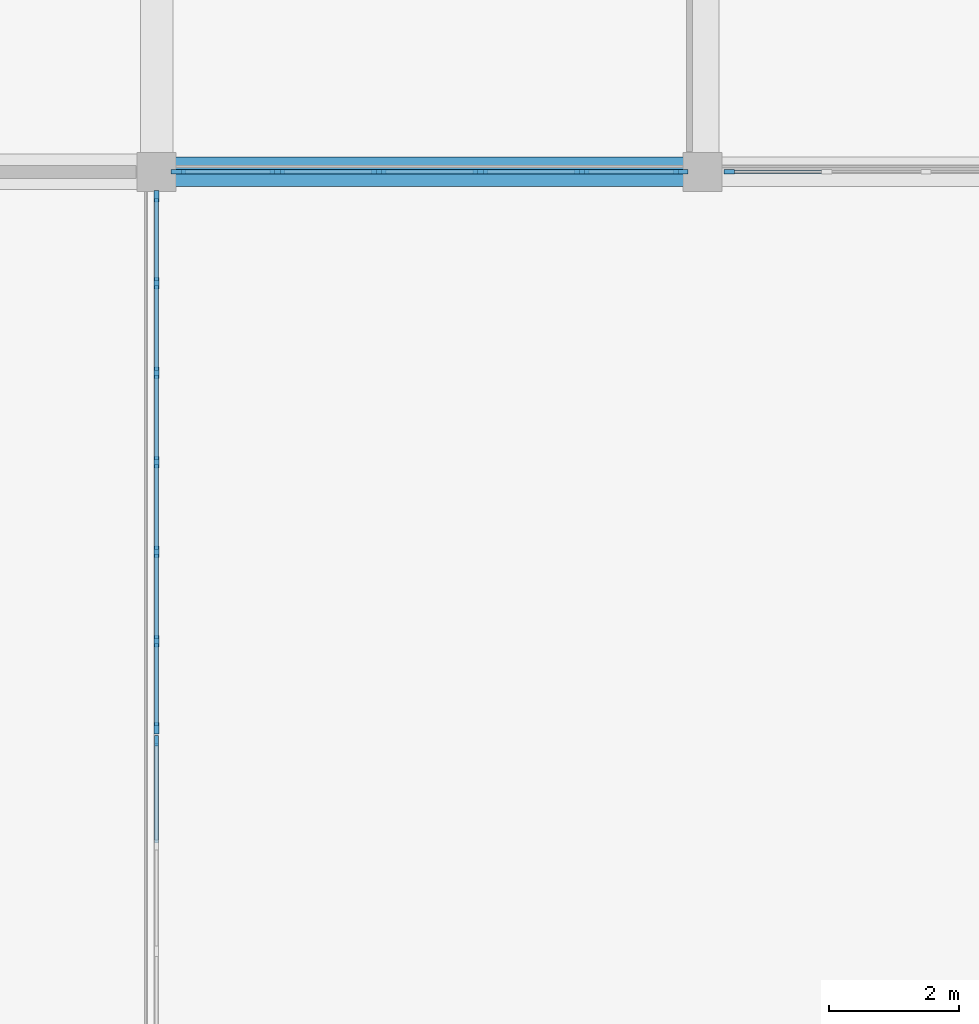
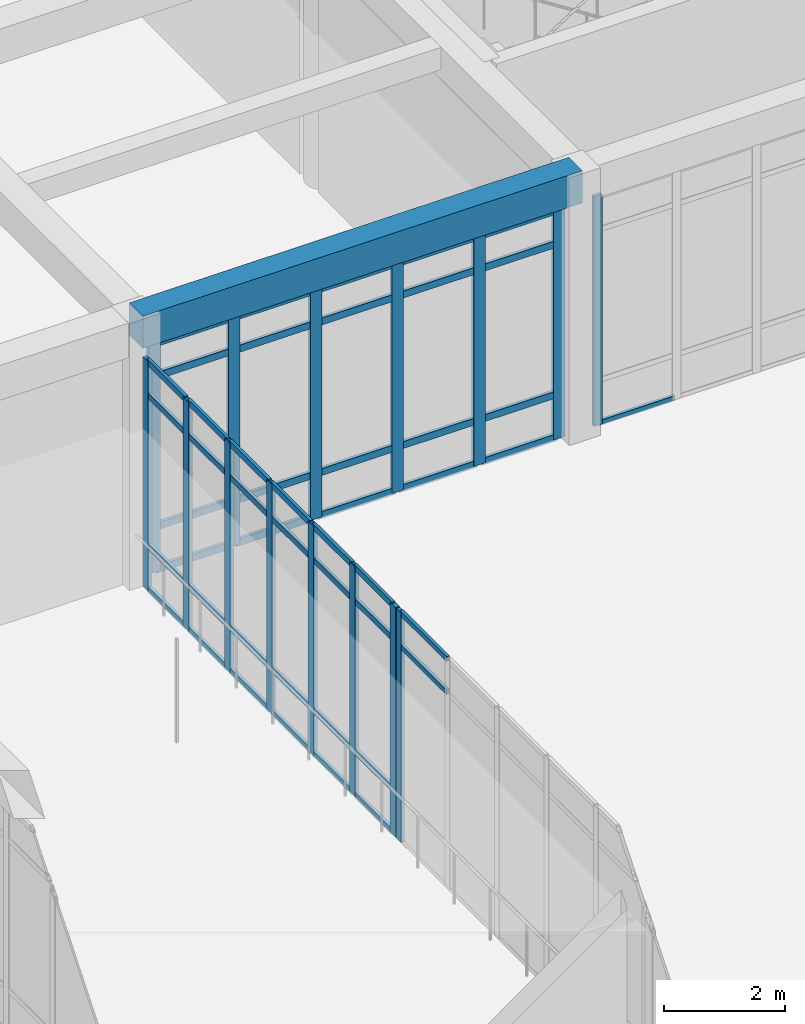
# One storey, part 24 of 157: 62 members, 1 beam, 4 elements without a shape of their own.
"""IFC4 building model written with IfcOpenShell, lengths in metres."""

from ifc_helpers import new_model, si_unit, direction, frame, origin, origin_2d, place, context, subcontext, project, spatial, rectangle, extrude, material, material_profile, profile_set, type_object, element, aggregate, save


model = new_model("IFC4")

# Units and contexts
model_context = context("Model", 3, precision=1e-05, world=origin(), true_north=direction((0.0, 1.0)))
body_context = subcontext(model_context, "Body", "Model", "MODEL_VIEW")
ifc_project = project(units=[si_unit("LENGTHUNIT", "METRE"), si_unit("AREAUNIT", "SQUARE_METRE"), si_unit("VOLUMEUNIT", "CUBIC_METRE"), si_unit("PLANEANGLEUNIT", "RADIAN"), si_unit("MASSUNIT", "GRAM", prefix="KILO")], contexts=[model_context])

# Site, building, storey
site_placement = place(None, origin())
site = spatial("IfcSite", under=ifc_project, at=site_placement, CompositionType="ELEMENT")
building_placement = place(site_placement, origin())
building = spatial("IfcBuilding", under=site, at=building_placement, Name="Varncliffe General Hospital", CompositionType="ELEMENT")
storey_placement = place(building_placement, frame((0.0, 0.0, 5.39990234375)))
storey = spatial("IfcBuildingStorey", under=building, at=storey_placement, Name="L01", CompositionType="ELEMENT", Elevation=5.39990234375)

# Curtain wall, members
ifc_material_1 = material(Name="Triple low-E argon insulated vision glazing", Category="glass")
curtain_wall_type_1 = type_object("IfcCurtainWallType", Name="Unitised Glazed Curtain Wall CW14 (8260x4640)", PredefinedType="USERDEFINED", material=ifc_material_1)
curtain_wall_1_placement = place(storey_placement, origin())
curtain_wall_1 = element("IfcCurtainWall", 1, at=curtain_wall_1_placement, inside=storey, type_object=curtain_wall_type_1, Name="L01 Glazed Curtain Wall CW14-106", ObjectType="GLAZED CURTAIN WALL", PredefinedType="USERDEFINED")
ifc_material_2 = material(Name="Dark bronze thermally broken aluminium framing", Category="aluminium")
ifc_material_profile_1 = material_profile(ifc_material_2, rectangle(XDim=0.074951171875, YDim=0.179931640625, at=origin_2d()), Name="ALU 75x180")
ifc_profile_set_1 = profile_set([ifc_material_profile_1], Name="Dark bronze thermally broken aluminium framing")
member_type_1 = type_object("IfcMemberType", Name="Curtain Wall Mullion CM44 (ALU 75x180)", PredefinedType="MULLION", material=ifc_profile_set_1)
member_1_placement = place(storey_placement, frame((67.199951171875, 57.224609375, 0.0), z_axis=(0.0, 0.0, 1.0), x_axis=(1.0, 0.0, 0.0)))
member_1 = element("IfcMember", 2, at=member_1_placement, type_object=member_type_1, Name="CW14 mullion 1", PredefinedType="MULLION", context=body_context, shape_type="SweptSolid", body=[
    extrude(rectangle(XDim=0.074951171875, YDim=0.179931640625, at=origin_2d()), origin(), (0.0, 0.0, 1.0), 4.64013671875),
])
member_2_placement = place(storey_placement, frame((67.199951171875, 55.88525390625, 0.0), z_axis=(0.0, 0.0, 1.0), x_axis=(1.0, 0.0, 0.0)))
member_2 = element("IfcMember", 3, at=member_2_placement, type_object=member_type_1, Name="CW14 mullion 2", PredefinedType="MULLION", context=body_context, shape_type="SweptSolid", body=[
    extrude(rectangle(XDim=0.074951171875, YDim=0.179931640625, at=origin_2d()), origin(), (0.0, 0.0, 1.0), 4.64013671875),
])
member_3_placement = place(storey_placement, frame((67.199951171875, 54.508544921875, 0.0), z_axis=(0.0, 0.0, 1.0), x_axis=(1.0, 0.0, 0.0)))
member_3 = element("IfcMember", 4, at=member_3_placement, type_object=member_type_1, Name="CW14 mullion 3", PredefinedType="MULLION", context=body_context, shape_type="SweptSolid", body=[
    extrude(rectangle(XDim=0.074951171875, YDim=0.179931640625, at=origin_2d()), origin(), (0.0, 0.0, 1.0), 4.64013671875),
])
member_4_placement = place(storey_placement, frame((67.199951171875, 53.1318359375, 0.0), z_axis=(0.0, 0.0, 1.0), x_axis=(1.0, 0.0, 0.0)))
member_4 = element("IfcMember", 5, at=member_4_placement, type_object=member_type_1, Name="CW14 mullion 4", PredefinedType="MULLION", context=body_context, shape_type="SweptSolid", body=[
    extrude(rectangle(XDim=0.074951171875, YDim=0.179931640625, at=origin_2d()), origin(), (0.0, 0.0, 1.0), 4.64013671875),
])
member_5_placement = place(storey_placement, frame((67.199951171875, 51.755126953125, 0.0), z_axis=(0.0, 0.0, 1.0), x_axis=(1.0, 0.0, 0.0)))
member_5 = element("IfcMember", 6, at=member_5_placement, type_object=member_type_1, Name="CW14 mullion 5", PredefinedType="MULLION", context=body_context, shape_type="SweptSolid", body=[
    extrude(rectangle(XDim=0.074951171875, YDim=0.179931640625, at=origin_2d()), origin(), (0.0, 0.0, 1.0), 4.64013671875),
])
member_6_placement = place(storey_placement, frame((67.199951171875, 50.37841796875, 0.0), z_axis=(0.0, 0.0, 1.0), x_axis=(1.0, 0.0, 0.0)))
member_6 = element("IfcMember", 7, at=member_6_placement, type_object=member_type_1, Name="CW14 mullion 6", PredefinedType="MULLION", context=body_context, shape_type="SweptSolid", body=[
    extrude(rectangle(XDim=0.074951171875, YDim=0.179931640625, at=origin_2d()), origin(), (0.0, 0.0, 1.0), 4.64013671875),
])
member_7_placement = place(storey_placement, frame((67.199951171875, 49.0390625, 0.0), z_axis=(0.0, 0.0, 1.0), x_axis=(1.0, 0.0, 0.0)))
member_7 = element("IfcMember", 8, at=member_7_placement, type_object=member_type_1, Name="CW14 mullion 7", PredefinedType="MULLION", context=body_context, shape_type="SweptSolid", body=[
    extrude(rectangle(XDim=0.074951171875, YDim=0.179931640625, at=origin_2d()), origin(), (0.0, 0.0, 1.0), 4.64013671875),
])

# Curtain wall, member
curtain_wall_type_2 = type_object("IfcCurtainWallType", Name="Unitised Glazed Curtain Wall CW27 (7644x4640)", PredefinedType="USERDEFINED", material=ifc_material_1)
curtain_wall_2_placement = place(storey_placement, origin())
curtain_wall_2 = element("IfcCurtainWall", 9, at=curtain_wall_2_placement, inside=storey, type_object=curtain_wall_type_2, Name="L01 Glazed Curtain Wall CW27-104", ObjectType="GLAZED CURTAIN WALL", PredefinedType="USERDEFINED")
ifc_material_profile_2 = material_profile(ifc_material_2, rectangle(XDim=0.06494140625, YDim=0.159912109375, at=origin_2d()), Name="ALU 65x160")
ifc_profile_set_2 = profile_set([ifc_material_profile_2], Name="Dark bronze thermally broken aluminium framing")
member_type_2 = type_object("IfcMemberType", Name="Curtain Wall Mullion CM65 (ALU 65x160)", PredefinedType="MULLION", material=ifc_profile_set_2)
member_8_placement = place(storey_placement, frame((76.010498046875, 57.60009765625, 0.0), z_axis=(0.0, 0.0, 1.0), x_axis=(0.0, -1.0, 0.0)))
member_8 = element("IfcMember", 10, at=member_8_placement, type_object=member_type_2, Name="CW27 mullion 6", PredefinedType="MULLION", context=body_context, shape_type="SweptSolid", body=[
    extrude(rectangle(XDim=0.06494140625, YDim=0.159912109375, at=origin_2d()), origin(), (0.0, 0.0, 1.0), 4.64013671875),
])

curtain_wall_type_3 = type_object("IfcCurtainWallType", Name="Unitised Glazed Curtain Wall CW16 (8180x4640)", PredefinedType="USERDEFINED", material=ifc_material_1)
curtain_wall_3_placement = place(storey_placement, origin())
curtain_wall_3 = element("IfcCurtainWall", 11, at=curtain_wall_3_placement, inside=storey, type_object=curtain_wall_type_3, Name="L01 Glazed Curtain Wall CW16-107", ObjectType="GLAZED CURTAIN WALL", PredefinedType="USERDEFINED")
member_9_placement = place(storey_placement, frame((67.199951171875, 48.84912109375, 0.0), z_axis=(0.0, 0.0, 1.0), x_axis=(1.0, 0.0, 0.0)))
member_9 = element("IfcMember", 12, at=member_9_placement, type_object=member_type_2, Name="CW16 mullion 1", PredefinedType="MULLION", context=body_context, shape_type="SweptSolid", body=[
    extrude(rectangle(XDim=0.06494140625, YDim=0.159912109375, at=origin_2d()), origin(), (0.0, 0.0, 1.0), 4.64013671875),
])

# Curtain wall, members
curtain_wall_type_4 = type_object("IfcCurtainWallType", Name="Unitised Glazed Curtain Wall CW85 (7804x4640)", PredefinedType="USERDEFINED", material=ifc_material_1)
curtain_wall_4_placement = place(storey_placement, origin())
curtain_wall_4 = element("IfcCurtainWall", 13, at=curtain_wall_4_placement, inside=storey, type_object=curtain_wall_type_4, Name="L01 Glazed Curtain Wall CW85-105", ObjectType="GLAZED CURTAIN WALL", PredefinedType="USERDEFINED")
ifc_material_profile_3 = material_profile(ifc_material_2, rectangle(XDim=0.074951171875, YDim=0.219970703125, at=origin_2d()), Name="ALU 75x220")
ifc_profile_set_3 = profile_set([ifc_material_profile_3], Name="Dark bronze thermally broken aluminium framing")
member_type_3 = type_object("IfcMemberType", Name="Curtain Wall Mullion CM74 (ALU 75x220)", PredefinedType="MULLION", material=ifc_profile_set_3)
member_10_placement = place(storey_placement, frame((75.264404296875, 57.60009765625, 0.0), z_axis=(0.0, 0.0, 1.0), x_axis=(0.0, -1.0, 0.0)))
member_10 = element("IfcMember", 14, at=member_10_placement, type_object=member_type_3, Name="CW85 mullion 1", PredefinedType="MULLION", context=body_context, shape_type="SweptSolid", body=[
    extrude(rectangle(XDim=0.074951171875, YDim=0.219970703125, at=origin_2d()), origin(), (0.0, 0.0, 1.0), 4.64013671875),
])
member_11_placement = place(storey_placement, frame((73.7412109375, 57.60009765625, 0.0), z_axis=(0.0, 0.0, 1.0), x_axis=(0.0, -1.0, 0.0)))
member_11 = element("IfcMember", 15, at=member_11_placement, type_object=member_type_3, Name="CW85 mullion 2", PredefinedType="MULLION", context=body_context, shape_type="SweptSolid", body=[
    extrude(rectangle(XDim=0.074951171875, YDim=0.219970703125, at=origin_2d()), origin(), (0.0, 0.0, 1.0), 4.64013671875),
])
member_12_placement = place(storey_placement, frame((72.180419921875, 57.60009765625, 0.0), z_axis=(0.0, 0.0, 1.0), x_axis=(0.0, -1.0, 0.0)))
member_12 = element("IfcMember", 16, at=member_12_placement, type_object=member_type_3, Name="CW85 mullion 3", PredefinedType="MULLION", context=body_context, shape_type="SweptSolid", body=[
    extrude(rectangle(XDim=0.074951171875, YDim=0.219970703125, at=origin_2d()), origin(), (0.0, 0.0, 1.0), 4.64013671875),
])
member_13_placement = place(storey_placement, frame((70.61962890625, 57.60009765625, 0.0), z_axis=(0.0, 0.0, 1.0), x_axis=(0.0, -1.0, 0.0)))
member_13 = element("IfcMember", 17, at=member_13_placement, type_object=member_type_3, Name="CW85 mullion 4", PredefinedType="MULLION", context=body_context, shape_type="SweptSolid", body=[
    extrude(rectangle(XDim=0.074951171875, YDim=0.219970703125, at=origin_2d()), origin(), (0.0, 0.0, 1.0), 4.64013671875),
])
member_14_placement = place(storey_placement, frame((69.058837890625, 57.60009765625, 0.0), z_axis=(0.0, 0.0, 1.0), x_axis=(0.0, -1.0, 0.0)))
member_14 = element("IfcMember", 18, at=member_14_placement, type_object=member_type_3, Name="CW85 mullion 5", PredefinedType="MULLION", context=body_context, shape_type="SweptSolid", body=[
    extrude(rectangle(XDim=0.074951171875, YDim=0.219970703125, at=origin_2d()), origin(), (0.0, 0.0, 1.0), 4.64013671875),
])
member_15_placement = place(storey_placement, frame((67.535400390625, 57.60009765625, 0.0), z_axis=(0.0, 0.0, 1.0), x_axis=(0.0, -1.0, 0.0)))
member_15 = element("IfcMember", 19, at=member_15_placement, type_object=member_type_3, Name="CW85 mullion 6", PredefinedType="MULLION", context=body_context, shape_type="SweptSolid", body=[
    extrude(rectangle(XDim=0.074951171875, YDim=0.219970703125, at=origin_2d()), origin(), (0.0, 0.0, 1.0), 4.64013671875),
])

# Member
ifc_material_profile_4 = material_profile(ifc_material_2, rectangle(XDim=0.06005859375, YDim=0.1201171875, at=origin_2d()), Name="ALU 60x120")
ifc_profile_set_4 = profile_set([ifc_material_profile_4], Name="Dark bronze thermally broken aluminium framing")
member_type_4 = type_object("IfcMemberType", Name="Curtain Wall Transom CT14 (ALU 60x120)", PredefinedType="USERDEFINED", material=ifc_profile_set_4)
member_16_placement = place(storey_placement, frame((67.199951171875, 57.18701171875, 0.030029296875), z_axis=(0.0, -1.0, 0.0), x_axis=(1.0, 0.0, 0.0)))
member_16 = element("IfcMember", 20, at=member_16_placement, type_object=member_type_4, Name="CW14 transom 1.1", ObjectType="TRANSOM", PredefinedType="USERDEFINED", context=body_context, shape_type="SweptSolid", body=[
    extrude(rectangle(XDim=0.06005859375, YDim=0.1201171875, at=origin_2d()), origin(), (0.0, 0.0, 1.0), 1.26416015625),
])

member_17_placement = place(storey_placement, frame((67.199951171875, 57.18701171875, 0.900146484375), z_axis=(0.0, -1.0, 0.0), x_axis=(1.0, 0.0, 0.0)))
member_17 = element("IfcMember", 21, at=member_17_placement, type_object=member_type_4, Name="CW14 transom 1.2", ObjectType="TRANSOM", PredefinedType="USERDEFINED", context=body_context, shape_type="SweptSolid", body=[
    extrude(rectangle(XDim=0.06005859375, YDim=0.1201171875, at=origin_2d()), origin(), (0.0, 0.0, 1.0), 1.26416015625),
])

member_18_placement = place(storey_placement, frame((67.199951171875, 57.18701171875, 3.940185546875), z_axis=(0.0, -1.0, 0.0), x_axis=(1.0, 0.0, 0.0)))
member_18 = element("IfcMember", 22, at=member_18_placement, type_object=member_type_4, Name="CW14 transom 1.3", ObjectType="TRANSOM", PredefinedType="USERDEFINED", context=body_context, shape_type="SweptSolid", body=[
    extrude(rectangle(XDim=0.06005859375, YDim=0.1201171875, at=origin_2d()), origin(), (0.0, 0.0, 1.0), 1.26416015625),
])

member_19_placement = place(storey_placement, frame((67.199951171875, 57.18701171875, 4.610107421875), z_axis=(0.0, -1.0, 0.0), x_axis=(1.0, 0.0, 0.0)))
member_19 = element("IfcMember", 23, at=member_19_placement, type_object=member_type_4, Name="CW14 transom 1.4", ObjectType="TRANSOM", PredefinedType="USERDEFINED", context=body_context, shape_type="SweptSolid", body=[
    extrude(rectangle(XDim=0.06005859375, YDim=0.1201171875, at=origin_2d()), origin(), (0.0, 0.0, 1.0), 1.26416015625),
])

member_20_placement = place(storey_placement, frame((67.199951171875, 55.84765625, 0.030029296875), z_axis=(0.0, -1.0, 0.0), x_axis=(1.0, 0.0, 0.0)))
member_20 = element("IfcMember", 24, at=member_20_placement, type_object=member_type_4, Name="CW14 transom 2.1", ObjectType="TRANSOM", PredefinedType="USERDEFINED", context=body_context, shape_type="SweptSolid", body=[
    extrude(rectangle(XDim=0.06005859375, YDim=0.1201171875, at=origin_2d()), origin(), (0.0, 0.0, 1.0), 1.301513671875),
])

member_21_placement = place(storey_placement, frame((67.199951171875, 55.84765625, 0.900146484375), z_axis=(0.0, -1.0, 0.0), x_axis=(1.0, 0.0, 0.0)))
member_21 = element("IfcMember", 25, at=member_21_placement, type_object=member_type_4, Name="CW14 transom 2.2", ObjectType="TRANSOM", PredefinedType="USERDEFINED", context=body_context, shape_type="SweptSolid", body=[
    extrude(rectangle(XDim=0.06005859375, YDim=0.1201171875, at=origin_2d()), origin(), (0.0, 0.0, 1.0), 1.301513671875),
])

member_22_placement = place(storey_placement, frame((67.199951171875, 55.84765625, 3.940185546875), z_axis=(0.0, -1.0, 0.0), x_axis=(1.0, 0.0, 0.0)))
member_22 = element("IfcMember", 26, at=member_22_placement, type_object=member_type_4, Name="CW14 transom 2.3", ObjectType="TRANSOM", PredefinedType="USERDEFINED", context=body_context, shape_type="SweptSolid", body=[
    extrude(rectangle(XDim=0.06005859375, YDim=0.1201171875, at=origin_2d()), origin(), (0.0, 0.0, 1.0), 1.301513671875),
])

member_23_placement = place(storey_placement, frame((67.199951171875, 55.84765625, 4.610107421875), z_axis=(0.0, -1.0, 0.0), x_axis=(1.0, 0.0, 0.0)))
member_23 = element("IfcMember", 27, at=member_23_placement, type_object=member_type_4, Name="CW14 transom 2.4", ObjectType="TRANSOM", PredefinedType="USERDEFINED", context=body_context, shape_type="SweptSolid", body=[
    extrude(rectangle(XDim=0.06005859375, YDim=0.1201171875, at=origin_2d()), origin(), (0.0, 0.0, 1.0), 1.301513671875),
])

member_24_placement = place(storey_placement, frame((67.199951171875, 54.470947265625, 0.030029296875), z_axis=(0.0, -1.0, 0.0), x_axis=(1.0, 0.0, 0.0)))
member_24 = element("IfcMember", 28, at=member_24_placement, type_object=member_type_4, Name="CW14 transom 3.1", ObjectType="TRANSOM", PredefinedType="USERDEFINED", context=body_context, shape_type="SweptSolid", body=[
    extrude(rectangle(XDim=0.06005859375, YDim=0.1201171875, at=origin_2d()), origin(), (0.0, 0.0, 1.0), 1.3017578125),
])

member_25_placement = place(storey_placement, frame((67.199951171875, 54.470947265625, 0.900146484375), z_axis=(0.0, -1.0, 0.0), x_axis=(1.0, 0.0, 0.0)))
member_25 = element("IfcMember", 29, at=member_25_placement, type_object=member_type_4, Name="CW14 transom 3.2", ObjectType="TRANSOM", PredefinedType="USERDEFINED", context=body_context, shape_type="SweptSolid", body=[
    extrude(rectangle(XDim=0.06005859375, YDim=0.1201171875, at=origin_2d()), origin(), (0.0, 0.0, 1.0), 1.3017578125),
])

member_26_placement = place(storey_placement, frame((67.199951171875, 54.470947265625, 3.940185546875), z_axis=(0.0, -1.0, 0.0), x_axis=(1.0, 0.0, 0.0)))
member_26 = element("IfcMember", 30, at=member_26_placement, type_object=member_type_4, Name="CW14 transom 3.3", ObjectType="TRANSOM", PredefinedType="USERDEFINED", context=body_context, shape_type="SweptSolid", body=[
    extrude(rectangle(XDim=0.06005859375, YDim=0.1201171875, at=origin_2d()), origin(), (0.0, 0.0, 1.0), 1.3017578125),
])

member_27_placement = place(storey_placement, frame((67.199951171875, 54.470947265625, 4.610107421875), z_axis=(0.0, -1.0, 0.0), x_axis=(1.0, 0.0, 0.0)))
member_27 = element("IfcMember", 31, at=member_27_placement, type_object=member_type_4, Name="CW14 transom 3.4", ObjectType="TRANSOM", PredefinedType="USERDEFINED", context=body_context, shape_type="SweptSolid", body=[
    extrude(rectangle(XDim=0.06005859375, YDim=0.1201171875, at=origin_2d()), origin(), (0.0, 0.0, 1.0), 1.3017578125),
])

member_28_placement = place(storey_placement, frame((67.199951171875, 53.09423828125, 0.030029296875), z_axis=(0.0, -1.0, 0.0), x_axis=(1.0, 0.0, 0.0)))
member_28 = element("IfcMember", 32, at=member_28_placement, type_object=member_type_4, Name="CW14 transom 4.1", ObjectType="TRANSOM", PredefinedType="USERDEFINED", context=body_context, shape_type="SweptSolid", body=[
    extrude(rectangle(XDim=0.06005859375, YDim=0.1201171875, at=origin_2d()), origin(), (0.0, 0.0, 1.0), 1.3017578125),
])

member_29_placement = place(storey_placement, frame((67.199951171875, 53.09423828125, 0.900146484375), z_axis=(0.0, -1.0, 0.0), x_axis=(1.0, 0.0, 0.0)))
member_29 = element("IfcMember", 33, at=member_29_placement, type_object=member_type_4, Name="CW14 transom 4.2", ObjectType="TRANSOM", PredefinedType="USERDEFINED", context=body_context, shape_type="SweptSolid", body=[
    extrude(rectangle(XDim=0.06005859375, YDim=0.1201171875, at=origin_2d()), origin(), (0.0, 0.0, 1.0), 1.3017578125),
])

member_30_placement = place(storey_placement, frame((67.199951171875, 53.09423828125, 3.940185546875), z_axis=(0.0, -1.0, 0.0), x_axis=(1.0, 0.0, 0.0)))
member_30 = element("IfcMember", 34, at=member_30_placement, type_object=member_type_4, Name="CW14 transom 4.3", ObjectType="TRANSOM", PredefinedType="USERDEFINED", context=body_context, shape_type="SweptSolid", body=[
    extrude(rectangle(XDim=0.06005859375, YDim=0.1201171875, at=origin_2d()), origin(), (0.0, 0.0, 1.0), 1.3017578125),
])

member_31_placement = place(storey_placement, frame((67.199951171875, 53.09423828125, 4.610107421875), z_axis=(0.0, -1.0, 0.0), x_axis=(1.0, 0.0, 0.0)))
member_31 = element("IfcMember", 35, at=member_31_placement, type_object=member_type_4, Name="CW14 transom 4.4", ObjectType="TRANSOM", PredefinedType="USERDEFINED", context=body_context, shape_type="SweptSolid", body=[
    extrude(rectangle(XDim=0.06005859375, YDim=0.1201171875, at=origin_2d()), origin(), (0.0, 0.0, 1.0), 1.3017578125),
])

member_32_placement = place(storey_placement, frame((67.199951171875, 51.717529296875, 0.030029296875), z_axis=(0.0, -1.0, 0.0), x_axis=(1.0, 0.0, 0.0)))
member_32 = element("IfcMember", 36, at=member_32_placement, type_object=member_type_4, Name="CW14 transom 5.1", ObjectType="TRANSOM", PredefinedType="USERDEFINED", context=body_context, shape_type="SweptSolid", body=[
    extrude(rectangle(XDim=0.06005859375, YDim=0.1201171875, at=origin_2d()), origin(), (0.0, 0.0, 1.0), 1.3017578125),
])

member_33_placement = place(storey_placement, frame((67.199951171875, 51.717529296875, 0.900146484375), z_axis=(0.0, -1.0, 0.0), x_axis=(1.0, 0.0, 0.0)))
member_33 = element("IfcMember", 37, at=member_33_placement, type_object=member_type_4, Name="CW14 transom 5.2", ObjectType="TRANSOM", PredefinedType="USERDEFINED", context=body_context, shape_type="SweptSolid", body=[
    extrude(rectangle(XDim=0.06005859375, YDim=0.1201171875, at=origin_2d()), origin(), (0.0, 0.0, 1.0), 1.3017578125),
])

member_34_placement = place(storey_placement, frame((67.199951171875, 51.717529296875, 3.940185546875), z_axis=(0.0, -1.0, 0.0), x_axis=(1.0, 0.0, 0.0)))
member_34 = element("IfcMember", 38, at=member_34_placement, type_object=member_type_4, Name="CW14 transom 5.3", ObjectType="TRANSOM", PredefinedType="USERDEFINED", context=body_context, shape_type="SweptSolid", body=[
    extrude(rectangle(XDim=0.06005859375, YDim=0.1201171875, at=origin_2d()), origin(), (0.0, 0.0, 1.0), 1.3017578125),
])

member_35_placement = place(storey_placement, frame((67.199951171875, 51.717529296875, 4.610107421875), z_axis=(0.0, -1.0, 0.0), x_axis=(1.0, 0.0, 0.0)))
member_35 = element("IfcMember", 39, at=member_35_placement, type_object=member_type_4, Name="CW14 transom 5.4", ObjectType="TRANSOM", PredefinedType="USERDEFINED", context=body_context, shape_type="SweptSolid", body=[
    extrude(rectangle(XDim=0.06005859375, YDim=0.1201171875, at=origin_2d()), origin(), (0.0, 0.0, 1.0), 1.3017578125),
])

member_36_placement = place(storey_placement, frame((67.199951171875, 50.3408203125, 0.030029296875), z_axis=(0.0, -1.0, 0.0), x_axis=(1.0, 0.0, 0.0)))
member_36 = element("IfcMember", 40, at=member_36_placement, type_object=member_type_4, Name="CW14 transom 6.1", ObjectType="TRANSOM", PredefinedType="USERDEFINED", context=body_context, shape_type="SweptSolid", body=[
    extrude(rectangle(XDim=0.06005859375, YDim=0.1201171875, at=origin_2d()), origin(), (0.0, 0.0, 1.0), 1.26416015625),
])

member_37_placement = place(storey_placement, frame((67.199951171875, 50.3408203125, 0.900146484375), z_axis=(0.0, -1.0, 0.0), x_axis=(1.0, 0.0, 0.0)))
member_37 = element("IfcMember", 41, at=member_37_placement, type_object=member_type_4, Name="CW14 transom 6.2", ObjectType="TRANSOM", PredefinedType="USERDEFINED", context=body_context, shape_type="SweptSolid", body=[
    extrude(rectangle(XDim=0.06005859375, YDim=0.1201171875, at=origin_2d()), origin(), (0.0, 0.0, 1.0), 1.26416015625),
])

member_38_placement = place(storey_placement, frame((67.199951171875, 50.3408203125, 3.940185546875), z_axis=(0.0, -1.0, 0.0), x_axis=(1.0, 0.0, 0.0)))
member_38 = element("IfcMember", 42, at=member_38_placement, type_object=member_type_4, Name="CW14 transom 6.3", ObjectType="TRANSOM", PredefinedType="USERDEFINED", context=body_context, shape_type="SweptSolid", body=[
    extrude(rectangle(XDim=0.06005859375, YDim=0.1201171875, at=origin_2d()), origin(), (0.0, 0.0, 1.0), 1.26416015625),
])

member_39_placement = place(storey_placement, frame((67.199951171875, 50.3408203125, 4.610107421875), z_axis=(0.0, -1.0, 0.0), x_axis=(1.0, 0.0, 0.0)))
member_39 = element("IfcMember", 43, at=member_39_placement, type_object=member_type_4, Name="CW14 transom 6.4", ObjectType="TRANSOM", PredefinedType="USERDEFINED", context=body_context, shape_type="SweptSolid", body=[
    extrude(rectangle(XDim=0.06005859375, YDim=0.1201171875, at=origin_2d()), origin(), (0.0, 0.0, 1.0), 1.26416015625),
])

aggregate(curtain_wall_1, [member_1, member_2, member_3, member_4, member_5, member_6, member_7, member_16, member_17, member_18, member_19, member_20, member_21, member_22, member_23, member_24, member_25, member_26, member_27, member_28, member_29, member_30, member_31, member_32, member_33, member_34, member_35, member_36, member_37, member_38, member_39])

ifc_material_profile_5 = material_profile(ifc_material_2, rectangle(XDim=0.06005859375, YDim=0.10009765625, at=origin_2d()), Name="ALU 60x100")
ifc_profile_set_5 = profile_set([ifc_material_profile_5], Name="Dark bronze thermally broken aluminium framing")
member_type_5 = type_object("IfcMemberType", Name="Curtain Wall Transom CT18 (ALU 60x100)", PredefinedType="USERDEFINED", material=ifc_profile_set_5)
member_40_placement = place(storey_placement, frame((77.474365234375, 57.60009765625, 0.030029296875), z_axis=(-1.0, 0.0, 0.0), x_axis=(0.0, -1.0, 0.0)))
member_40 = element("IfcMember", 44, at=member_40_placement, type_object=member_type_5, Name="CW27 transom 5.1", ObjectType="TRANSOM", PredefinedType="USERDEFINED", context=body_context, shape_type="SweptSolid", body=[
    extrude(rectangle(XDim=0.06005859375, YDim=0.10009765625, at=origin_2d()), origin(), (0.0, 0.0, 1.0), 1.431396484375),
])

aggregate(curtain_wall_2, [member_8, member_40])

member_41_placement = place(storey_placement, frame((67.199951171875, 48.816650390625, 3.940185546875), z_axis=(0.0, -1.0, 0.0), x_axis=(1.0, 0.0, 0.0)))
member_41 = element("IfcMember", 45, at=member_41_placement, type_object=member_type_5, Name="CW16 transom 1.3", ObjectType="TRANSOM", PredefinedType="USERDEFINED", context=body_context, shape_type="SweptSolid", body=[
    extrude(rectangle(XDim=0.06005859375, YDim=0.10009765625, at=origin_2d()), origin(), (0.0, 0.0, 1.0), 1.53857421875),
])

member_42_placement = place(storey_placement, frame((67.199951171875, 48.816650390625, 4.610107421875), z_axis=(0.0, -1.0, 0.0), x_axis=(1.0, 0.0, 0.0)))
member_42 = element("IfcMember", 46, at=member_42_placement, type_object=member_type_5, Name="CW16 transom 1.4", ObjectType="TRANSOM", PredefinedType="USERDEFINED", context=body_context, shape_type="SweptSolid", body=[
    extrude(rectangle(XDim=0.06005859375, YDim=0.10009765625, at=origin_2d()), origin(), (0.0, 0.0, 1.0), 1.53857421875),
])

aggregate(curtain_wall_3, [member_9, member_41, member_42])

ifc_material_profile_6 = material_profile(ifc_material_2, rectangle(XDim=0.06494140625, YDim=0.139892578125, at=origin_2d()), Name="ALU 65x140")
ifc_profile_set_6 = profile_set([ifc_material_profile_6], Name="Dark bronze thermally broken aluminium framing")
member_type_6 = type_object("IfcMemberType", Name="Curtain Wall Transom CT69 (ALU 65x140)", PredefinedType="USERDEFINED", material=ifc_profile_set_6)
member_43_placement = place(storey_placement, frame((75.22705078125, 57.60009765625, 0.03271484375), z_axis=(-1.0, 0.0, 0.0), x_axis=(0.0, -1.0, 0.0)))
member_43 = element("IfcMember", 47, at=member_43_placement, type_object=member_type_6, Name="CW85 transom 1.1", ObjectType="TRANSOM", PredefinedType="USERDEFINED", context=body_context, shape_type="SweptSolid", body=[
    extrude(rectangle(XDim=0.06494140625, YDim=0.139892578125, at=origin_2d()), origin(), (0.0, 0.0, 1.0), 1.4482421875),
])

member_44_placement = place(storey_placement, frame((75.22705078125, 57.60009765625, 0.900146484375), z_axis=(-1.0, 0.0, 0.0), x_axis=(0.0, -1.0, 0.0)))
member_44 = element("IfcMember", 48, at=member_44_placement, type_object=member_type_6, Name="CW85 transom 1.2", ObjectType="TRANSOM", PredefinedType="USERDEFINED", context=body_context, shape_type="SweptSolid", body=[
    extrude(rectangle(XDim=0.06494140625, YDim=0.139892578125, at=origin_2d()), origin(), (0.0, 0.0, 1.0), 1.4482421875),
])

member_45_placement = place(storey_placement, frame((75.22705078125, 57.60009765625, 3.940185546875), z_axis=(-1.0, 0.0, 0.0), x_axis=(0.0, -1.0, 0.0)))
member_45 = element("IfcMember", 49, at=member_45_placement, type_object=member_type_6, Name="CW85 transom 1.3", ObjectType="TRANSOM", PredefinedType="USERDEFINED", context=body_context, shape_type="SweptSolid", body=[
    extrude(rectangle(XDim=0.06494140625, YDim=0.139892578125, at=origin_2d()), origin(), (0.0, 0.0, 1.0), 1.4482421875),
])

member_46_placement = place(storey_placement, frame((75.22705078125, 57.60009765625, 4.607666015625), z_axis=(-1.0, 0.0, 0.0), x_axis=(0.0, -1.0, 0.0)))
member_46 = element("IfcMember", 50, at=member_46_placement, type_object=member_type_6, Name="CW85 transom 1.4", ObjectType="TRANSOM", PredefinedType="USERDEFINED", context=body_context, shape_type="SweptSolid", body=[
    extrude(rectangle(XDim=0.06494140625, YDim=0.139892578125, at=origin_2d()), origin(), (0.0, 0.0, 1.0), 1.4482421875),
])

member_47_placement = place(storey_placement, frame((73.70361328125, 57.60009765625, 0.03271484375), z_axis=(-1.0, 0.0, 0.0), x_axis=(0.0, -1.0, 0.0)))
member_47 = element("IfcMember", 51, at=member_47_placement, type_object=member_type_6, Name="CW85 transom 2.1", ObjectType="TRANSOM", PredefinedType="USERDEFINED", context=body_context, shape_type="SweptSolid", body=[
    extrude(rectangle(XDim=0.06494140625, YDim=0.139892578125, at=origin_2d()), origin(), (0.0, 0.0, 1.0), 1.485595703125),
])

member_48_placement = place(storey_placement, frame((73.70361328125, 57.60009765625, 0.900146484375), z_axis=(-1.0, 0.0, 0.0), x_axis=(0.0, -1.0, 0.0)))
member_48 = element("IfcMember", 52, at=member_48_placement, type_object=member_type_6, Name="CW85 transom 2.2", ObjectType="TRANSOM", PredefinedType="USERDEFINED", context=body_context, shape_type="SweptSolid", body=[
    extrude(rectangle(XDim=0.06494140625, YDim=0.139892578125, at=origin_2d()), origin(), (0.0, 0.0, 1.0), 1.485595703125),
])

member_49_placement = place(storey_placement, frame((73.70361328125, 57.60009765625, 3.940185546875), z_axis=(-1.0, 0.0, 0.0), x_axis=(0.0, -1.0, 0.0)))
member_49 = element("IfcMember", 53, at=member_49_placement, type_object=member_type_6, Name="CW85 transom 2.3", ObjectType="TRANSOM", PredefinedType="USERDEFINED", context=body_context, shape_type="SweptSolid", body=[
    extrude(rectangle(XDim=0.06494140625, YDim=0.139892578125, at=origin_2d()), origin(), (0.0, 0.0, 1.0), 1.485595703125),
])

member_50_placement = place(storey_placement, frame((73.70361328125, 57.60009765625, 4.607666015625), z_axis=(-1.0, 0.0, 0.0), x_axis=(0.0, -1.0, 0.0)))
member_50 = element("IfcMember", 54, at=member_50_placement, type_object=member_type_6, Name="CW85 transom 2.4", ObjectType="TRANSOM", PredefinedType="USERDEFINED", context=body_context, shape_type="SweptSolid", body=[
    extrude(rectangle(XDim=0.06494140625, YDim=0.139892578125, at=origin_2d()), origin(), (0.0, 0.0, 1.0), 1.485595703125),
])

member_51_placement = place(storey_placement, frame((72.142822265625, 57.60009765625, 0.03271484375), z_axis=(-1.0, 0.0, 0.0), x_axis=(0.0, -1.0, 0.0)))
member_51 = element("IfcMember", 55, at=member_51_placement, type_object=member_type_6, Name="CW85 transom 3.1", ObjectType="TRANSOM", PredefinedType="USERDEFINED", context=body_context, shape_type="SweptSolid", body=[
    extrude(rectangle(XDim=0.06494140625, YDim=0.139892578125, at=origin_2d()), origin(), (0.0, 0.0, 1.0), 1.48583984375),
])

member_52_placement = place(storey_placement, frame((72.142822265625, 57.60009765625, 0.900146484375), z_axis=(-1.0, 0.0, 0.0), x_axis=(0.0, -1.0, 0.0)))
member_52 = element("IfcMember", 56, at=member_52_placement, type_object=member_type_6, Name="CW85 transom 3.2", ObjectType="TRANSOM", PredefinedType="USERDEFINED", context=body_context, shape_type="SweptSolid", body=[
    extrude(rectangle(XDim=0.06494140625, YDim=0.139892578125, at=origin_2d()), origin(), (0.0, 0.0, 1.0), 1.48583984375),
])

member_53_placement = place(storey_placement, frame((72.142822265625, 57.60009765625, 3.940185546875), z_axis=(-1.0, 0.0, 0.0), x_axis=(0.0, -1.0, 0.0)))
member_53 = element("IfcMember", 57, at=member_53_placement, type_object=member_type_6, Name="CW85 transom 3.3", ObjectType="TRANSOM", PredefinedType="USERDEFINED", context=body_context, shape_type="SweptSolid", body=[
    extrude(rectangle(XDim=0.06494140625, YDim=0.139892578125, at=origin_2d()), origin(), (0.0, 0.0, 1.0), 1.48583984375),
])

member_54_placement = place(storey_placement, frame((72.142822265625, 57.60009765625, 4.607666015625), z_axis=(-1.0, 0.0, 0.0), x_axis=(0.0, -1.0, 0.0)))
member_54 = element("IfcMember", 58, at=member_54_placement, type_object=member_type_6, Name="CW85 transom 3.4", ObjectType="TRANSOM", PredefinedType="USERDEFINED", context=body_context, shape_type="SweptSolid", body=[
    extrude(rectangle(XDim=0.06494140625, YDim=0.139892578125, at=origin_2d()), origin(), (0.0, 0.0, 1.0), 1.48583984375),
])

member_55_placement = place(storey_placement, frame((70.58203125, 57.60009765625, 0.03271484375), z_axis=(-1.0, 0.0, 0.0), x_axis=(0.0, -1.0, 0.0)))
member_55 = element("IfcMember", 59, at=member_55_placement, type_object=member_type_6, Name="CW85 transom 4.1", ObjectType="TRANSOM", PredefinedType="USERDEFINED", context=body_context, shape_type="SweptSolid", body=[
    extrude(rectangle(XDim=0.06494140625, YDim=0.139892578125, at=origin_2d()), origin(), (0.0, 0.0, 1.0), 1.48583984375),
])

member_56_placement = place(storey_placement, frame((70.58203125, 57.60009765625, 0.900146484375), z_axis=(-1.0, 0.0, 0.0), x_axis=(0.0, -1.0, 0.0)))
member_56 = element("IfcMember", 60, at=member_56_placement, type_object=member_type_6, Name="CW85 transom 4.2", ObjectType="TRANSOM", PredefinedType="USERDEFINED", context=body_context, shape_type="SweptSolid", body=[
    extrude(rectangle(XDim=0.06494140625, YDim=0.139892578125, at=origin_2d()), origin(), (0.0, 0.0, 1.0), 1.48583984375),
])

member_57_placement = place(storey_placement, frame((70.58203125, 57.60009765625, 3.940185546875), z_axis=(-1.0, 0.0, 0.0), x_axis=(0.0, -1.0, 0.0)))
member_57 = element("IfcMember", 61, at=member_57_placement, type_object=member_type_6, Name="CW85 transom 4.3", ObjectType="TRANSOM", PredefinedType="USERDEFINED", context=body_context, shape_type="SweptSolid", body=[
    extrude(rectangle(XDim=0.06494140625, YDim=0.139892578125, at=origin_2d()), origin(), (0.0, 0.0, 1.0), 1.48583984375),
])

member_58_placement = place(storey_placement, frame((70.58203125, 57.60009765625, 4.607666015625), z_axis=(-1.0, 0.0, 0.0), x_axis=(0.0, -1.0, 0.0)))
member_58 = element("IfcMember", 62, at=member_58_placement, type_object=member_type_6, Name="CW85 transom 4.4", ObjectType="TRANSOM", PredefinedType="USERDEFINED", context=body_context, shape_type="SweptSolid", body=[
    extrude(rectangle(XDim=0.06494140625, YDim=0.139892578125, at=origin_2d()), origin(), (0.0, 0.0, 1.0), 1.48583984375),
])

member_59_placement = place(storey_placement, frame((69.021240234375, 57.60009765625, 0.03271484375), z_axis=(-1.0, 0.0, 0.0), x_axis=(0.0, -1.0, 0.0)))
member_59 = element("IfcMember", 63, at=member_59_placement, type_object=member_type_6, Name="CW85 transom 5.1", ObjectType="TRANSOM", PredefinedType="USERDEFINED", context=body_context, shape_type="SweptSolid", body=[
    extrude(rectangle(XDim=0.06494140625, YDim=0.139892578125, at=origin_2d()), origin(), (0.0, 0.0, 1.0), 1.4482421875),
])

member_60_placement = place(storey_placement, frame((69.021240234375, 57.60009765625, 0.900146484375), z_axis=(-1.0, 0.0, 0.0), x_axis=(0.0, -1.0, 0.0)))
member_60 = element("IfcMember", 64, at=member_60_placement, type_object=member_type_6, Name="CW85 transom 5.2", ObjectType="TRANSOM", PredefinedType="USERDEFINED", context=body_context, shape_type="SweptSolid", body=[
    extrude(rectangle(XDim=0.06494140625, YDim=0.139892578125, at=origin_2d()), origin(), (0.0, 0.0, 1.0), 1.4482421875),
])

member_61_placement = place(storey_placement, frame((69.021240234375, 57.60009765625, 3.940185546875), z_axis=(-1.0, 0.0, 0.0), x_axis=(0.0, -1.0, 0.0)))
member_61 = element("IfcMember", 65, at=member_61_placement, type_object=member_type_6, Name="CW85 transom 5.3", ObjectType="TRANSOM", PredefinedType="USERDEFINED", context=body_context, shape_type="SweptSolid", body=[
    extrude(rectangle(XDim=0.06494140625, YDim=0.139892578125, at=origin_2d()), origin(), (0.0, 0.0, 1.0), 1.4482421875),
])

member_62_placement = place(storey_placement, frame((69.021240234375, 57.60009765625, 4.607666015625), z_axis=(-1.0, 0.0, 0.0), x_axis=(0.0, -1.0, 0.0)))
member_62 = element("IfcMember", 66, at=member_62_placement, type_object=member_type_6, Name="CW85 transom 5.4", ObjectType="TRANSOM", PredefinedType="USERDEFINED", context=body_context, shape_type="SweptSolid", body=[
    extrude(rectangle(XDim=0.06494140625, YDim=0.139892578125, at=origin_2d()), origin(), (0.0, 0.0, 1.0), 1.4482421875),
])

aggregate(curtain_wall_4, [member_10, member_11, member_12, member_13, member_14, member_15, member_43, member_44, member_45, member_46, member_47, member_48, member_49, member_50, member_51, member_52, member_53, member_54, member_55, member_56, member_57, member_58, member_59, member_60, member_61, member_62])

# Beam
ifc_material_3 = material(Name="Concrete C35/45 (CSA A23.1 35 MPa)", Category="concrete")
ifc_material_profile_7 = material_profile(ifc_material_3, rectangle(XDim=0.449951171875, YDim=0.64990234375, at=origin_2d()), Name="RC 450x650")
ifc_profile_set_7 = profile_set([ifc_material_profile_7], Name="Concrete C35/45 (CSA A23.1 35 MPa)")
beam_type = type_object("IfcBeamType", Name="Spandrel SP38 (Ext RC 450x650B)", PredefinedType="SPANDREL", material=ifc_profile_set_7)
beam_placement = place(storey_placement, frame((67.199951171875, 57.60009765625, 5.0751953125), z_axis=(1.0, 0.0, 0.0), x_axis=(0.0, 1.0, 0.0)))
element("IfcBeam", 67, at=beam_placement, inside=storey, type_object=beam_type, Name="L01 Spandrel Beam SP38-77", PredefinedType="SPANDREL", context=body_context, shape_type="SweptSolid", body=[
    extrude(rectangle(XDim=0.449951171875, YDim=0.64990234375, at=origin_2d()), origin(), (0.0, 0.0, 1.0), 8.400146484375),
])

save(model, "model.ifc")
